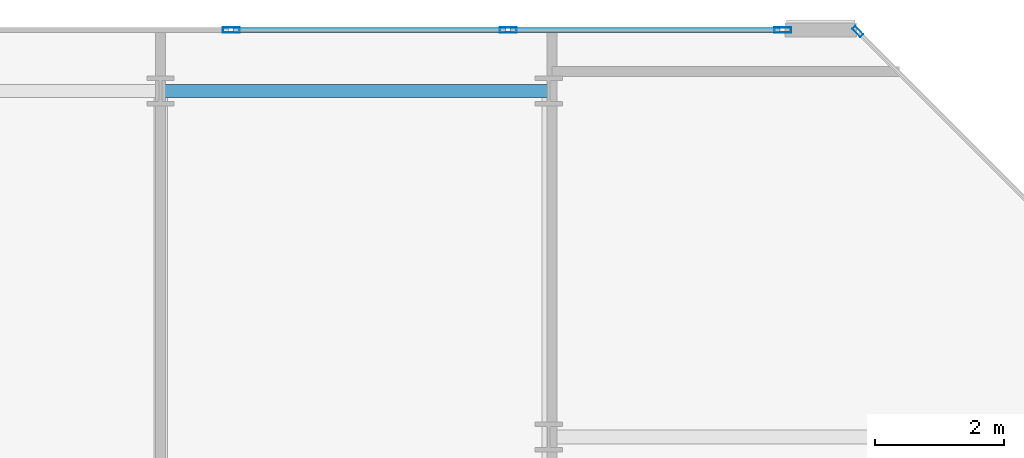
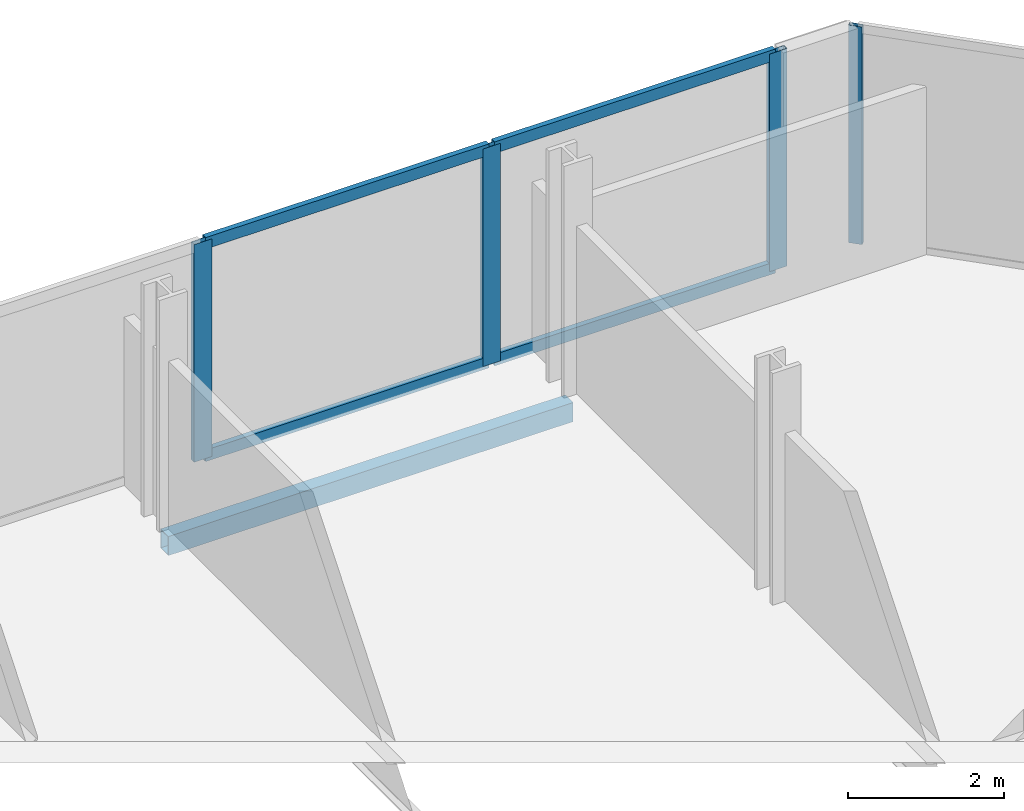
# One storey, part 12 of 17: 8 members, 1 beam, 2 elements without a shape of their own.
"""IFC4 building model written with IfcOpenShell, lengths in metres."""

from ifc_helpers import new_model, si_unit, direction, frame, origin, origin_2d, place, context, subcontext, project, spatial, hollow_rectangle, extrude, material, layer, layer_set, material_profile, profile_set, type_object, element, aggregate, save


model = new_model("IFC4")

# Units and contexts
model_context = context("Model", 3, precision=1e-05, world=origin(), true_north=direction((0.0, 1.0)))
body_context = subcontext(model_context, "Body", "Model", "MODEL_VIEW")
ifc_project = project(units=[si_unit("LENGTHUNIT", "METRE"), si_unit("AREAUNIT", "SQUARE_METRE"), si_unit("VOLUMEUNIT", "CUBIC_METRE"), si_unit("PLANEANGLEUNIT", "RADIAN"), si_unit("MASSUNIT", "GRAM", prefix="KILO")], contexts=[model_context])

# Site, building, storey
site_placement = place(None, origin())
site = spatial("IfcSite", under=ifc_project, at=site_placement, CompositionType="ELEMENT")
building_placement = place(site_placement, origin())
building = spatial("IfcBuilding", under=site, at=building_placement, Name="Tanjung Sevakor Pilgrim Tower", CompositionType="ELEMENT")
storey_placement = place(building_placement, frame((0.0, 0.0, 264.330078125)))
storey = spatial("IfcBuildingStorey", under=building, at=storey_placement, Name="L74", CompositionType="ELEMENT", Elevation=264.330078125)

# Beam
ifc_material_1 = material(Name="Steel S355J2", Category="steel")
ifc_material_profile_1 = material_profile(ifc_material_1, hollow_rectangle(XDim=0.199951171875, YDim=0.300048828125, WallThickness=0.012451171875, at=origin_2d()))
ifc_profile_set_1 = profile_set([ifc_material_profile_1], Name="Steel S355J2")
beam_type = type_object("IfcBeamType", Name="BM-B-SP3-RHS_300x200x12.5", PredefinedType="SPANDREL", material=ifc_profile_set_1)
beam_placement = place(storey_placement, frame((84.0, 53.949951171875, -0.3701171875), z_axis=(1.0, 0.0, 0.0), x_axis=(0.0, 1.0, 0.0)))
element("IfcBeam", 1, at=beam_placement, inside=storey, type_object=beam_type, Name="L74 Spandrel EAST N-06", PredefinedType="SPANDREL", context=body_context, shape_type="SweptSolid", body=[
    extrude(hollow_rectangle(XDim=0.199951171875, YDim=0.300048828125, WallThickness=0.012451171875, at=origin_2d()), origin(), (0.0, 0.0, 1.0), 6.0),
])

# Curtain wall, member
ifc_material_2 = material(Name="Aluminium 6063-T6 and Low-E Glass", Category="aluminium")
ifc_layer_1 = layer(ifc_material_2, 0.179931640625)
ifc_layer_set_1 = layer_set([ifc_layer_1], Name="CW-SYS-CHAM")
curtain_wall_type_1 = type_object("IfcCurtainWallType", Name="CW-SYS-CHAM", PredefinedType="NOTDEFINED", material=ifc_layer_set_1)
curtain_wall_1_placement = place(storey_placement, origin())
curtain_wall_1 = element("IfcCurtainWall", 2, at=curtain_wall_1_placement, inside=storey, type_object=curtain_wall_type_1, Name="L74 Curtain Wall CW-CHM-L74-EAST-3", PredefinedType="NOTDEFINED")
ifc_material_3 = material(Name="Aluminium 6063-T6", Category="aluminium")
ifc_material_profile_2 = material_profile(ifc_material_3, hollow_rectangle(XDim=0.06494140625, YDim=0.179931640625, WallThickness=0.00390625, at=origin_2d()))
ifc_profile_set_2 = profile_set([ifc_material_profile_2], Name="Aluminium 6063-T6")
member_type_1 = type_object("IfcMemberType", Name="TYPE-CWM-1", PredefinedType="MULLION", material=ifc_profile_set_2)
member_1_placement = place(storey_placement, frame((94.77734375, 54.866943359375, 0.0), z_axis=(0.0, 0.0, 1.0), x_axis=(-0.707106781187, -0.707106781187, 0.0)))
member_1 = element("IfcMember", 3, at=member_1_placement, type_object=member_type_1, Name="CW-CHM mullion 2", PredefinedType="MULLION", context=body_context, shape_type="SweptSolid", body=[
    extrude(hollow_rectangle(XDim=0.06494140625, YDim=0.179931640625, WallThickness=0.00390625, at=origin_2d()), origin(), (0.0, 0.0, 1.0), 3.409912109375),
])
aggregate(curtain_wall_1, [member_1])

# Curtain wall, members
ifc_material_4 = material(Name="Aluminium 6063-T6 and Low-E Glass", Category="aluminium")
ifc_layer_2 = layer(ifc_material_4, 0.219970703125)
ifc_layer_set_2 = layer_set([ifc_layer_2], Name="CW-SYS-CRNE")
curtain_wall_type_2 = type_object("IfcCurtainWallType", Name="CW-SYS-CRNE", PredefinedType="NOTDEFINED", material=ifc_layer_set_2)
curtain_wall_2_placement = place(storey_placement, origin())
curtain_wall_2 = element("IfcCurtainWall", 4, at=curtain_wall_2_placement, inside=storey, type_object=curtain_wall_type_2, Name="L74 Curtain Wall CW-CRN-L74-EAST-4-1", PredefinedType="NOTDEFINED")
ifc_material_5 = material(Name="Aluminium 6063-T6", Category="aluminium")
ifc_material_profile_3 = material_profile(ifc_material_5, hollow_rectangle(XDim=0.080078125, YDim=0.260009765625, WallThickness=0.0048828125, at=origin_2d()))
ifc_profile_set_3 = profile_set([ifc_material_profile_3], Name="Aluminium 6063-T6")
member_type_2 = type_object("IfcMemberType", Name="TYPE-CWM-3", PredefinedType="MULLION", material=ifc_profile_set_3)
member_2_placement = place(storey_placement, frame((93.614501953125, 54.889892578125, 0.0), z_axis=(0.0, 0.0, 1.0), x_axis=(0.0, -1.0, 0.0)))
member_2 = element("IfcMember", 5, at=member_2_placement, type_object=member_type_2, Name="CW-CRE mullion 1", PredefinedType="MULLION", context=body_context, shape_type="SweptSolid", body=[
    extrude(hollow_rectangle(XDim=0.080078125, YDim=0.260009765625, WallThickness=0.0048828125, at=origin_2d()), origin(), (0.0, 0.0, 1.0), 3.409912109375),
])
member_3_placement = place(storey_placement, frame((89.37255859375, 54.889892578125, 0.0), z_axis=(0.0, 0.0, 1.0), x_axis=(0.0, -1.0, 0.0)))
member_3 = element("IfcMember", 6, at=member_3_placement, type_object=member_type_2, Name="CW-CRE mullion 2", PredefinedType="MULLION", context=body_context, shape_type="SweptSolid", body=[
    extrude(hollow_rectangle(XDim=0.080078125, YDim=0.260009765625, WallThickness=0.0048828125, at=origin_2d()), origin(), (0.0, 0.0, 1.0), 3.409912109375),
])
member_4_placement = place(storey_placement, frame((85.0908203125, 54.889892578125, 0.0), z_axis=(0.0, 0.0, 1.0), x_axis=(0.0, -1.0, 0.0)))
member_4 = element("IfcMember", 7, at=member_4_placement, type_object=member_type_2, Name="CW-CRE mullion 3", PredefinedType="MULLION", context=body_context, shape_type="SweptSolid", body=[
    extrude(hollow_rectangle(XDim=0.080078125, YDim=0.260009765625, WallThickness=0.0048828125, at=origin_2d()), origin(), (0.0, 0.0, 1.0), 3.409912109375),
])
ifc_material_6 = material(Name="Aluminium 6063-T6", Category="aluminium")
ifc_material_profile_4 = material_profile(ifc_material_6, hollow_rectangle(XDim=0.080078125, YDim=0.179931640625, WallThickness=0.0048828125, at=origin_2d()))
ifc_profile_set_4 = profile_set([ifc_material_profile_4], Name="Aluminium 6063-T6")
member_type_3 = type_object("IfcMemberType", Name="TYPE-CWT-3", PredefinedType="USERDEFINED", material=ifc_profile_set_4)
member_5_placement = place(storey_placement, frame((93.574462890625, 54.889892578125, 0.0400390625), z_axis=(-1.0, 0.0, 0.0), x_axis=(0.0, -1.0, 0.0)))
member_5 = element("IfcMember", 8, at=member_5_placement, type_object=member_type_3, Name="CW-CRE transom 1.1", ObjectType="TRANSOM", PredefinedType="USERDEFINED", context=body_context, shape_type="SweptSolid", body=[
    extrude(hollow_rectangle(XDim=0.080078125, YDim=0.179931640625, WallThickness=0.0048828125, at=origin_2d()), origin(), (0.0, 0.0, 1.0), 4.161865234375),
])
member_6_placement = place(storey_placement, frame((93.574462890625, 54.889892578125, 3.369873046875), z_axis=(-1.0, 0.0, 0.0), x_axis=(0.0, -1.0, 0.0)))
member_6 = element("IfcMember", 9, at=member_6_placement, type_object=member_type_3, Name="CW-CRE transom 1.2", ObjectType="TRANSOM", PredefinedType="USERDEFINED", context=body_context, shape_type="SweptSolid", body=[
    extrude(hollow_rectangle(XDim=0.080078125, YDim=0.179931640625, WallThickness=0.0048828125, at=origin_2d()), origin(), (0.0, 0.0, 1.0), 4.161865234375),
])
member_7_placement = place(storey_placement, frame((89.33251953125, 54.889892578125, 0.0400390625), z_axis=(-1.0, 0.0, 0.0), x_axis=(0.0, -1.0, 0.0)))
member_7 = element("IfcMember", 10, at=member_7_placement, type_object=member_type_3, Name="CW-CRE transom 2.1", ObjectType="TRANSOM", PredefinedType="USERDEFINED", context=body_context, shape_type="SweptSolid", body=[
    extrude(hollow_rectangle(XDim=0.080078125, YDim=0.179931640625, WallThickness=0.0048828125, at=origin_2d()), origin(), (0.0, 0.0, 1.0), 4.20166015625),
])
member_8_placement = place(storey_placement, frame((89.33251953125, 54.889892578125, 3.369873046875), z_axis=(-1.0, 0.0, 0.0), x_axis=(0.0, -1.0, 0.0)))
member_8 = element("IfcMember", 11, at=member_8_placement, type_object=member_type_3, Name="CW-CRE transom 2.2", ObjectType="TRANSOM", PredefinedType="USERDEFINED", context=body_context, shape_type="SweptSolid", body=[
    extrude(hollow_rectangle(XDim=0.080078125, YDim=0.179931640625, WallThickness=0.0048828125, at=origin_2d()), origin(), (0.0, 0.0, 1.0), 4.20166015625),
])
aggregate(curtain_wall_2, [member_2, member_3, member_4, member_5, member_6, member_7, member_8])

save(model, "model.ifc")
